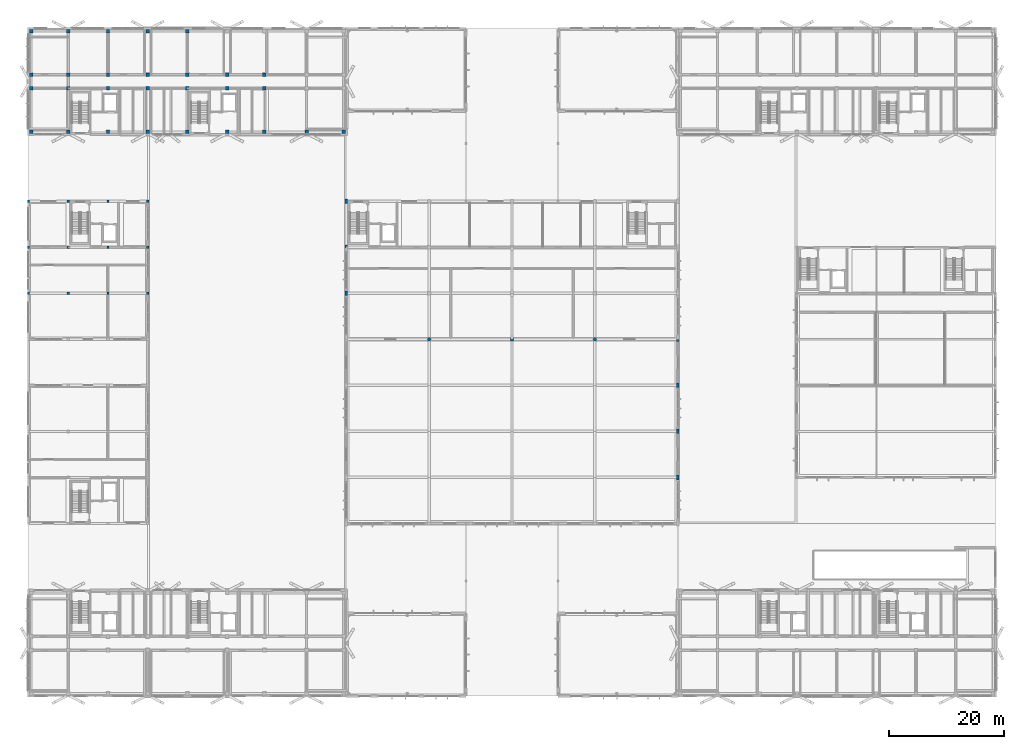
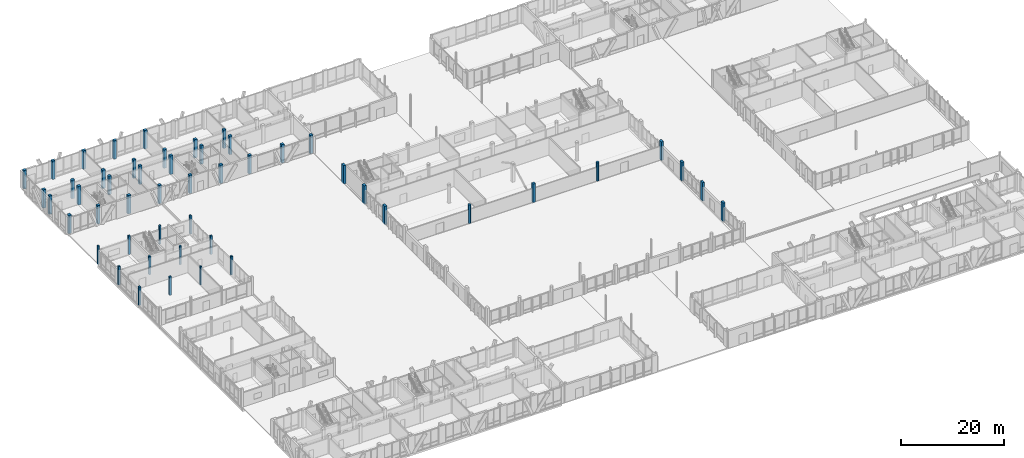
# One storey, part 7 of 233: 50 columns.
"""IFC4 building model written with IfcOpenShell, lengths in metres."""

from ifc_helpers import new_model, si_unit, direction, frame, origin, origin_2d, place, context, subcontext, project, spatial, rectangle, circle, extrude, material, material_profile, profile_set, type_object, element, save


model = new_model("IFC4")

# Units and contexts
model_context = context("Model", 3, precision=1e-05, world=origin(), true_north=direction((0.0, 1.0)))
body_context = subcontext(model_context, "Body", "Model", "MODEL_VIEW")
ifc_project = project(units=[si_unit("LENGTHUNIT", "METRE"), si_unit("AREAUNIT", "SQUARE_METRE"), si_unit("VOLUMEUNIT", "CUBIC_METRE"), si_unit("PLANEANGLEUNIT", "RADIAN"), si_unit("MASSUNIT", "GRAM", prefix="KILO")], contexts=[model_context])

# Site, building, storey
site_placement = place(None, origin())
site = spatial("IfcSite", under=ifc_project, at=site_placement, CompositionType="ELEMENT")
building_placement = place(site_placement, origin())
building = spatial("IfcBuilding", under=site, at=building_placement, Name="Zavelmont Quarter", CompositionType="ELEMENT")
storey_placement = place(building_placement, origin())
storey = spatial("IfcBuildingStorey", under=building, at=storey_placement, Name="L00", CompositionType="ELEMENT", Elevation=0.0)

# Columns
ifc_material_1 = material(Name="Concrete C40/50", Category="concrete")
ifc_material_profile_1 = material_profile(ifc_material_1, rectangle(XDim=0.60009765625, YDim=0.60009765625, at=origin_2d()), Name="RC600X600")
ifc_profile_set_1 = profile_set([ifc_material_profile_1], Name="Concrete C40/50")
column_type_1 = type_object("IfcColumnType", Name="CL01", PredefinedType="COLUMN", material=ifc_profile_set_1)
for number, where, z_axis, x_axis, name in (
    (1, (0.43994140625, 98.0400390625, 0.0), (0.0, 0.0, 1.0), (1.0, 0.0, 0.0), "L00 column CL01 at 1/P"),
    (2, (0.43994140625, 105.60009765625, 0.0), (0.0, 0.0, 1.0), (1.0, 0.0, 0.0), "L00 column CL01 at 1/Q"),
    (3, (0.43994140625, 108.0, 0.0), (0.0, 0.0, 1.0), (1.0, 0.0, 0.0), "L00 column CL01 at 1/R"),
    (4, (0.43994140625, 115.56005859375, 0.0), (0.0, 0.0, 1.0), (1.0, 0.0, 0.0), "L00 column CL01 at 1/S"),
    (5, (6.89990234375, 98.0400390625, 0.0), (0.0, 0.0, 1.0), (1.0, 0.0, 0.0), "L00 column CL01 at 2/P"),
    (6, (6.89990234375, 105.60009765625, 0.0), (0.0, 0.0, 1.0), (1.0, 0.0, 0.0), "L00 column CL01 at 2/Q"),
    (7, (6.89990234375, 108.0, 0.0), (0.0, 0.0, 1.0), (1.0, 0.0, 0.0), "L00 column CL01 at 2/R"),
    (8, (6.89990234375, 115.56005859375, 0.0), (0.0, 0.0, 1.0), (1.0, 0.0, 0.0), "L00 column CL01 at 2/S"),
    (9, (13.800048828125, 98.0400390625, 0.0), (0.0, 0.0, 1.0), (1.0, 0.0, 0.0), "L00 column CL01 at 3/P"),
    (10, (13.800048828125, 105.60009765625, 0.0), (0.0, 0.0, 1.0), (1.0, 0.0, 0.0), "L00 column CL01 at 3/Q"),
    (11, (13.800048828125, 108.0, 0.0), (0.0, 0.0, 1.0), (1.0, 0.0, 0.0), "L00 column CL01 at 3/R"),
    (12, (13.800048828125, 115.56005859375, 0.0), (0.0, 0.0, 1.0), (1.0, 0.0, 0.0), "L00 column CL01 at 3/S"),
    (13, (20.699951171875, 98.0400390625, 0.0), (0.0, 0.0, 1.0), (1.0, 0.0, 0.0), "L00 column CL01 at 4/P"),
    (14, (20.699951171875, 105.60009765625, 0.0), (0.0, 0.0, 1.0), (1.0, 0.0, 0.0), "L00 column CL01 at 4/Q"),
    (15, (20.699951171875, 108.0, 0.0), (0.0, 0.0, 1.0), (1.0, 0.0, 0.0), "L00 column CL01 at 4/R"),
    (16, (20.699951171875, 115.56005859375, 0.0), (0.0, 0.0, 1.0), (1.0, 0.0, 0.0), "L00 column CL01 at 4/S"),
    (17, (27.60009765625, 98.0400390625, 0.0), (0.0, 0.0, 1.0), (1.0, 0.0, 0.0), "L00 column CL01 at 5/P"),
    (18, (27.60009765625, 105.60009765625, 0.0), (0.0, 0.0, 1.0), (1.0, 0.0, 0.0), "L00 column CL01 at 5/Q"),
    (19, (27.60009765625, 108.0, 0.0), (0.0, 0.0, 1.0), (1.0, 0.0, 0.0), "L00 column CL01 at 5/R"),
    (20, (27.60009765625, 115.56005859375, 0.0), (0.0, 0.0, 1.0), (1.0, 0.0, 0.0), "L00 column CL01 at 5/S"),
    (21, (34.5, 98.0400390625, 0.0), (0.0, 0.0, 1.0), (1.0, 0.0, 0.0), "L00 column CL01 at 6/P"),
    (22, (34.5, 105.60009765625, 0.0), (0.0, 0.0, 1.0), (1.0, 0.0, 0.0), "L00 column CL01 at 6/Q"),
    (23, (34.5, 108.0, 0.0), (0.0, 0.0, 1.0), (1.0, 0.0, 0.0), "L00 column CL01 at 6/R"),
    (24, (40.9599609375, 98.0400390625, 0.0), (0.0, 0.0, 1.0), (1.0, 0.0, 0.0), "L00 column CL01 at 7/P"),
    (25, (40.9599609375, 105.60009765625, 0.0), (0.0, 0.0, 1.0), (1.0, 0.0, 0.0), "L00 column CL01 at 7/Q"),
    (26, (40.9599609375, 108.0, 0.0), (0.0, 0.0, 1.0), (1.0, 0.0, 0.0), "L00 column CL01 at 7/R"),
    (27, (48.300048828125, 98.0400390625, 0.0), (0.0, 0.0, 1.0), (1.0, 0.0, 0.0), "L00 column CL01 at 8/P"),
    (28, (54.760009765625, 98.0400390625, 0.0), (0.0, 0.0, 1.0), (1.0, 0.0, 0.0), "L00 column CL01 at 9/P"),
    (29, (84.0, 62.0, 0.0), (0.0, 0.0, 1.0), (1.0, 0.0, 0.0), "L00 column CL01 at 13/K"),
):
    element("IfcColumn", number, at=place(storey_placement, frame(where, z_axis=z_axis, x_axis=x_axis)), inside=storey, type_object=column_type_1, Name=name, PredefinedType="COLUMN", context=body_context, shape_type="SweptSolid", body=[
        extrude(rectangle(XDim=0.60009765625, YDim=0.60009765625, at=origin_2d()), origin(), (0.0, 0.0, 1.0), 4.39990234375),
    ])
ifc_material_2 = material(Name="Concrete C35/45", Category="concrete")
ifc_material_profile_2 = material_profile(ifc_material_2, rectangle(XDim=0.39990234375, YDim=0.39990234375, at=origin_2d()), Name="RC400X400")
ifc_profile_set_2 = profile_set([ifc_material_profile_2], Name="Concrete C35/45")
column_type_2 = type_object("IfcColumnType", Name="CL05", PredefinedType="COLUMN", material=ifc_profile_set_2)
for number, where, z_axis, x_axis, name in (
    (30, (0.0, 70.0, 0.0), (0.0, 0.0, 1.0), (1.0, 0.0, 0.0), "L00 column CL05 at 1/L"),
    (31, (0.0, 78.0, 0.0), (0.0, 0.0, 1.0), (1.0, 0.0, 0.0), "L00 column CL05 at 1/M"),
    (32, (0.0, 86.0, 0.0), (0.0, 0.0, 1.0), (1.0, 0.0, 0.0), "L00 column CL05 at 1/N"),
    (33, (6.89990234375, 70.0, 0.0), (0.0, 0.0, 1.0), (1.0, 0.0, 0.0), "L00 column CL05 at 2/L"),
    (34, (6.89990234375, 78.0, 0.0), (0.0, 0.0, 1.0), (1.0, 0.0, 0.0), "L00 column CL05 at 2/M"),
    (35, (6.89990234375, 86.0, 0.0), (0.0, 0.0, 1.0), (1.0, 0.0, 0.0), "L00 column CL05 at 2/N"),
    (36, (13.800048828125, 70.0, 0.0), (0.0, 0.0, 1.0), (1.0, 0.0, 0.0), "L00 column CL05 at 3/L"),
    (37, (13.800048828125, 78.0, 0.0), (0.0, 0.0, 1.0), (1.0, 0.0, 0.0), "L00 column CL05 at 3/M"),
    (38, (13.800048828125, 86.0, 0.0), (0.0, 0.0, 1.0), (1.0, 0.0, 0.0), "L00 column CL05 at 3/N"),
    (39, (20.699951171875, 70.0, 0.0), (0.0, 0.0, 1.0), (1.0, 0.0, 0.0), "L00 column CL05 at 4/L"),
    (40, (20.699951171875, 78.0, 0.0), (0.0, 0.0, 1.0), (1.0, 0.0, 0.0), "L00 column CL05 at 4/M"),
    (41, (20.699951171875, 86.0, 0.0), (0.0, 0.0, 1.0), (1.0, 0.0, 0.0), "L00 column CL05 at 4/N"),
):
    element("IfcColumn", number, at=place(storey_placement, frame(where, z_axis=z_axis, x_axis=x_axis)), inside=storey, type_object=column_type_2, Name=name, PredefinedType="COLUMN", context=body_context, shape_type="SweptSolid", body=[
        extrude(rectangle(XDim=0.39990234375, YDim=0.39990234375, at=origin_2d()), origin(), (0.0, 0.0, 1.0), 4.39990234375),
    ])
ifc_material_profile_3 = material_profile(ifc_material_1, rectangle(XDim=0.5, YDim=0.800048828125, at=origin_2d()), Name="RC500X800")
ifc_profile_set_3 = profile_set([ifc_material_profile_3], Name="Concrete C40/50")
column_type_3 = type_object("IfcColumnType", Name="CL07", PredefinedType="COLUMN", material=ifc_profile_set_3)
for number, where, z_axis, x_axis, name in (
    (42, (55.199951171875, 70.0, 0.0), (0.0, 0.0, 1.0), (1.0, 0.0, 0.0), "L00 column CL07 at 9/L"),
    (43, (55.199951171875, 78.0, 0.0), (0.0, 0.0, 1.0), (1.0, 0.0, 0.0), "L00 column CL07 at 9/M"),
    (44, (55.199951171875, 86.0, 0.0), (0.0, 0.0, 1.0), (1.0, 0.0, 0.0), "L00 column CL07 at 9/N"),
    (45, (112.800048828125, 38.0, 0.0), (0.0, 0.0, 1.0), (1.0, 0.0, 0.0), "L00 column CL07 at 17/G"),
    (46, (112.800048828125, 46.0, 0.0), (0.0, 0.0, 1.0), (1.0, 0.0, 0.0), "L00 column CL07 at 17/H"),
    (47, (112.800048828125, 54.0, 0.0), (0.0, 0.0, 1.0), (1.0, 0.0, 0.0), "L00 column CL07 at 17/J"),
    (48, (112.800048828125, 62.0, 0.0), (0.0, 0.0, 1.0), (1.0, 0.0, 0.0), "L00 column CL07 at 17/K"),
):
    element("IfcColumn", number, at=place(storey_placement, frame(where, z_axis=z_axis, x_axis=x_axis)), inside=storey, type_object=column_type_3, Name=name, PredefinedType="COLUMN", context=body_context, shape_type="SweptSolid", body=[
        extrude(rectangle(XDim=0.5, YDim=0.800048828125, at=origin_2d()), origin(), (0.0, 0.0, 1.0), 4.39990234375),
    ])
ifc_material_profile_4 = material_profile(ifc_material_1, circle(Radius=0.300048828125, at=origin_2d()), Name="CHD600")
ifc_profile_set_4 = profile_set([ifc_material_profile_4], Name="Concrete C40/50")
column_type_4 = type_object("IfcColumnType", Name="CL08", PredefinedType="COLUMN", material=ifc_profile_set_4)
for number, where, z_axis, x_axis, name in (
    (49, (69.60009765625, 62.0, 0.0), (0.0, 0.0, 1.0), (1.0, 0.0, 0.0), "L00 column CL08 at 11/K"),
    (50, (98.39990234375, 62.0, 0.0), (0.0, 0.0, 1.0), (1.0, 0.0, 0.0), "L00 column CL08 at 15/K"),
):
    element("IfcColumn", number, at=place(storey_placement, frame(where, z_axis=z_axis, x_axis=x_axis)), inside=storey, type_object=column_type_4, Name=name, PredefinedType="COLUMN", context=body_context, shape_type="SweptSolid", body=[
        extrude(circle(Radius=0.300048828125, at=origin_2d()), origin(), (0.0, 0.0, 1.0), 4.39990234375),
    ])

save(model, "model.ifc")
